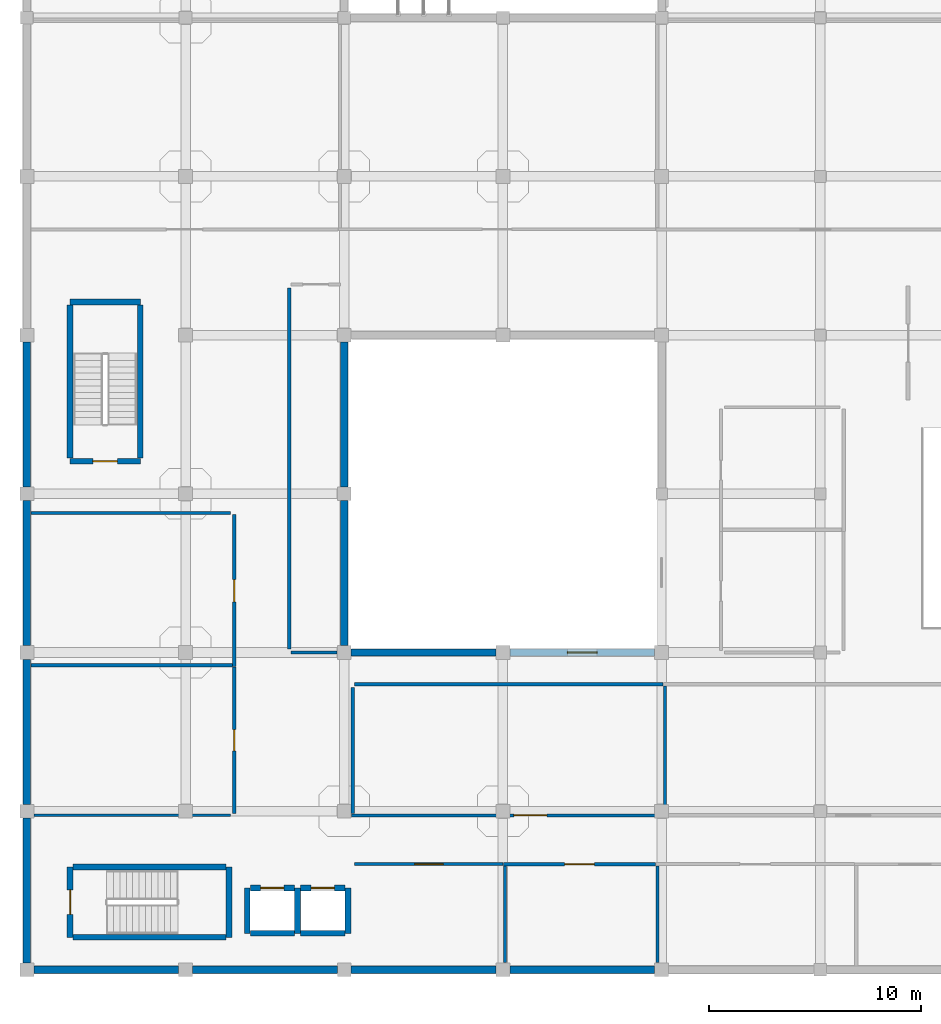
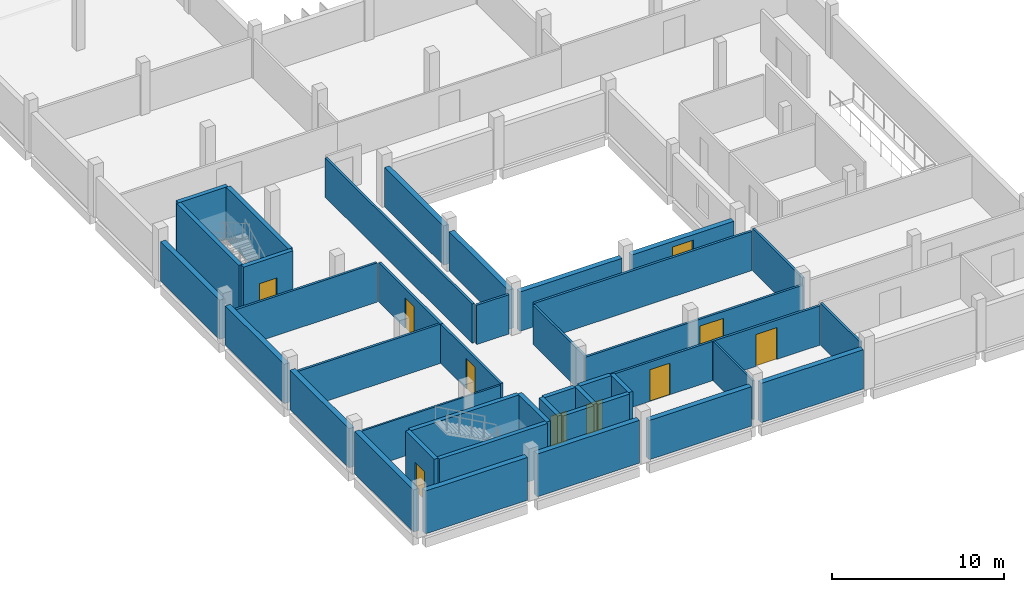
# One storey, part 24 of 47: 42 walls, 9 doors, 1 window, 10 openings.
"""IFC4 building model written with IfcOpenShell, lengths in metres."""

from ifc_helpers import new_model, si_unit, direction, frame, frame_2d, origin, place, context, subcontext, project, spatial, rectangle, extrude, material, layer, layer_set, type_object, element, fill, save


model = new_model("IFC4")

# Units and contexts
model_context = context("Model", 3, precision=1e-05, world=origin(), true_north=direction((0.0, 1.0)))
body_context = subcontext(model_context, "Body", "Model", "MODEL_VIEW")
ifc_project = project(units=[si_unit("LENGTHUNIT", "METRE"), si_unit("AREAUNIT", "SQUARE_METRE"), si_unit("VOLUMEUNIT", "CUBIC_METRE"), si_unit("PLANEANGLEUNIT", "RADIAN"), si_unit("MASSUNIT", "GRAM", prefix="KILO")], contexts=[model_context])

# Site, building, storey
site_placement = place(None, origin())
site = spatial("IfcSite", under=ifc_project, at=site_placement, CompositionType="ELEMENT")
building_placement = place(site_placement, origin())
building = spatial("IfcBuilding", under=site, at=building_placement, Name="Mawjan Specialist Oncology Clinic", CompositionType="ELEMENT")
storey_placement = place(building_placement, frame((0.0, 0.0, 9.5)))
storey = spatial("IfcBuildingStorey", under=building, at=storey_placement, Name="L02", CompositionType="ELEMENT", Elevation=9.5)

# Walls
ifc_material_1 = material(Name="Precast concrete C40/50", Category="concrete")
ifc_layer_1 = layer(ifc_material_1, 0.35009765625, Name="Precast concrete C40/50", Category="concrete")
ifc_layer_set_1 = layer_set([ifc_layer_1], Name="Precast concrete C40/50")
wall_type_1 = type_object("IfcWallType", Name="EW-350", PredefinedType="SOLIDWALL", material=ifc_layer_set_1)
for number, where, z_axis, x_axis, name in (
    (1, (29.675048828125, 0.800048828125, 0.0), (0.0, 0.0, 1.0), (-1.0, 0.0, 0.0), "L02 Coral-Limestone Exterior Wall EW-L02-182"),
    (2, (22.175048828125, 0.800048828125, 0.0), (0.0, 0.0, 1.0), (-1.0, 0.0, 0.0), "L02 Coral-Limestone Exterior Wall EW-L02-183"),
):
    element("IfcWall", number, at=place(storey_placement, frame(where, z_axis=z_axis, x_axis=x_axis)), inside=storey, type_object=wall_type_1, Name=name, PredefinedType="SOLIDWALL", context=body_context, shape_type="SweptSolid", body=[
        extrude(rectangle(XDim=6.85009765625, YDim=0.35009765625, at=frame_2d((3.425048828125, 0.0))), origin(), (0.0, 0.0, 1.0), 2.784912109375),
    ])
for number, where, z_axis, x_axis, name in (
    (3, (14.675048828125, 0.800048828125, 0.0), (0.0, 0.0, 1.0), (-1.0, 0.0, 0.0), "L02 Coral-Limestone Exterior Wall EW-L02-184"),
    (4, (7.175048828125, 0.800048828125, 0.0), (0.0, 0.0, 1.0), (-1.0, 0.0, 0.0), "L02 Coral-Limestone Exterior Wall EW-L02-185"),
):
    element("IfcWall", number, at=place(storey_placement, frame(where, z_axis=z_axis, x_axis=x_axis)), inside=storey, type_object=wall_type_1, Name=name, PredefinedType="SOLIDWALL", context=body_context, shape_type="SweptSolid", body=[
        extrude(rectangle(XDim=6.85009765625, YDim=0.35009765625, at=frame_2d((3.425048828125, 0.0))), origin(), (0.0, 0.0, 1.0), 3.034912109375),
    ])
wall_1_placement = place(storey_placement, frame((0.0, 1.125, 0.0), z_axis=(0.0, 0.0, 1.0), x_axis=(0.0, 1.0, 0.0)))
element("IfcWall", 5, at=wall_1_placement, inside=storey, type_object=wall_type_1, Name="L02 Coral-Limestone Exterior Wall EW-L02-186", PredefinedType="SOLIDWALL", context=body_context, shape_type="SweptSolid", body=[
    extrude(rectangle(XDim=6.85009765625, YDim=0.35009765625, at=frame_2d((3.425048828125, 0.0))), origin(), (0.0, 0.0, 1.0), 2.985107421875),
])
for number, where, z_axis, x_axis, name in (
    (6, (0.0, 8.625, 0.0), (0.0, 0.0, 1.0), (0.0, 1.0, 0.0), "L02 Coral-Limestone Exterior Wall EW-L02-187"),
    (7, (0.0, 16.125, 0.0), (0.0, 0.0, 1.0), (0.0, 1.0, 0.0), "L02 Coral-Limestone Exterior Wall EW-L02-188"),
    (8, (0.0, 23.625, 0.0), (0.0, 0.0, 1.0), (0.0, 1.0, 0.0), "L02 Coral-Limestone Exterior Wall EW-L02-189"),
    (9, (15.324951171875, 15.800048828125, 0.0), (0.0, 0.0, 1.0), (1.0, 0.0, 0.0), "L02 Coral-Limestone Exterior Wall EW-L02-198"),
):
    element("IfcWall", number, at=place(storey_placement, frame(where, z_axis=z_axis, x_axis=x_axis)), inside=storey, type_object=wall_type_1, Name=name, PredefinedType="SOLIDWALL", context=body_context, shape_type="SweptSolid", body=[
        extrude(rectangle(XDim=6.85009765625, YDim=0.35009765625, at=frame_2d((3.425048828125, 0.0))), origin(), (0.0, 0.0, 1.0), 2.784912109375),
    ])

# Wall, opening, window
wall_2_placement = place(storey_placement, frame((22.824951171875, 15.800048828125, 0.0), z_axis=(0.0, 0.0, 1.0), x_axis=(1.0, 0.0, 0.0)))
wall_2 = element("IfcWall", 10, at=wall_2_placement, inside=storey, type_object=wall_type_1, Name="L02 Coral-Limestone Exterior Wall EW-L02-199", PredefinedType="SOLIDWALL", context=body_context, shape_type="SweptSolid", body=[
    extrude(rectangle(XDim=6.85009765625, YDim=0.35009765625, at=frame_2d((3.425048828125, 0.0))), origin(), (0.0, 0.0, 1.0), 2.784912109375),
])
opening_1_placement = place(wall_2_placement, frame((2.72509765625, 0.0, 0.89990234375)))
opening_1 = element("IfcOpeningElement", 11, at=opening_1_placement, cuts=wall_2, Name="Opening WN-14", PredefinedType="OPENING", context=body_context, shape_type="SweptSolid", body=[
    extrude(rectangle(XDim=1.39990234375, YDim=1.5, at=frame_2d((0.699951171875, 0.75))), frame((0.0, 0.18701171875, 0.0), z_axis=(0.0, -1.0, 0.0), x_axis=(1.0, 0.0, 0.0)), (0.0, 0.0, 1.0), 0.3740234375),
])
ifc_material_2 = material(Name="Thermally broken low-E clinical aluminium window", Category="aluminium")
window_type = type_object("IfcWindowType", Name="WN-14", PartitioningType="SINGLE_PANEL", PredefinedType="WINDOW", material=ifc_material_2)
window_placement = place(opening_1_placement, origin())
window = element("IfcWindow", 12, at=window_placement, inside=storey, type_object=window_type, Name="L02 Clinical Low-E Window 038", OverallHeight=1.5, OverallWidth=1.39990234375, PartitioningType="SINGLE_PANEL", PredefinedType="WINDOW", context=body_context, shape_type="SweptSolid", body=[
    extrude(rectangle(XDim=1.39990234375, YDim=1.5, at=frame_2d((0.699951171875, 0.75))), frame((0.0, 0.030029296875, 0.0), z_axis=(0.0, -1.0, 0.0), x_axis=(1.0, 0.0, 0.0)), (0.0, 0.0, 1.0), 0.06005859375),
])
fill(opening_1, window)

# Walls
for number, where, z_axis, x_axis, name in (
    (13, (15.0, 30.47509765625, 0.0), (0.0, 0.0, 1.0), (0.0, -1.0, 0.0), "L02 Coral-Limestone Exterior Wall EW-L02-204"),
    (14, (15.0, 22.97509765625, 0.0), (0.0, 0.0, 1.0), (0.0, -1.0, 0.0), "L02 Coral-Limestone Exterior Wall EW-L02-205"),
):
    element("IfcWall", number, at=place(storey_placement, frame(where, z_axis=z_axis, x_axis=x_axis)), inside=storey, type_object=wall_type_1, Name=name, PredefinedType="SOLIDWALL", context=body_context, shape_type="SweptSolid", body=[
        extrude(rectangle(XDim=6.85009765625, YDim=0.35009765625, at=frame_2d((3.425048828125, 0.0))), origin(), (0.0, 0.0, 1.0), 2.784912109375),
    ])
ifc_material_3 = material(Name="Concrete C45/55", Category="concrete")
ifc_layer_2 = layer(ifc_material_3, 0.280029296875, Name="Concrete C45/55", Category="concrete")
ifc_layer_set_2 = layer_set([ifc_layer_2], Name="Concrete C45/55")
wall_type_2 = type_object("IfcWallType", Name="SW-300", PredefinedType="SHEAR", material=ifc_layer_set_2)
wall_3_placement = place(storey_placement, frame((2.18505859375, 2.340087890625, 0.0), z_axis=(0.0, 0.0, 1.0), x_axis=(1.0, 0.0, 0.0)))
element("IfcWall", 15, at=wall_3_placement, inside=storey, type_object=wall_type_2, Name="L02 Core K1 Stair Shear Wall 1", PredefinedType="SHEAR", context=body_context, shape_type="SweptSolid", body=[
    extrude(rectangle(XDim=7.22998046875, YDim=0.280029296875, at=frame_2d((3.614990234375, 0.0))), origin(), (0.0, 0.0, 1.0), 3.699951171875),
])
wall_4_placement = place(storey_placement, frame((9.56005859375, 2.340087890625, 0.0), z_axis=(0.0, 0.0, 1.0), x_axis=(0.0, 1.0, 0.0)))
element("IfcWall", 16, at=wall_4_placement, inside=storey, type_object=wall_type_2, Name="L02 Core K1 Stair Shear Wall 2", PredefinedType="SHEAR", context=body_context, shape_type="SweptSolid", body=[
    extrude(rectangle(XDim=3.31982421875, YDim=0.280029296875, at=frame_2d((1.659912109375, 0.0))), origin(), (0.0, 0.0, 1.0), 3.699951171875),
])
wall_5_placement = place(storey_placement, frame((9.4150390625, 5.659912109375, 0.0), z_axis=(0.0, 0.0, 1.0), x_axis=(-1.0, 0.0, 0.0)))
element("IfcWall", 17, at=wall_5_placement, inside=storey, type_object=wall_type_2, Name="L02 Core K1 Stair Shear Wall 3", PredefinedType="SHEAR", context=body_context, shape_type="SweptSolid", body=[
    extrude(rectangle(XDim=7.22998046875, YDim=0.280029296875, at=frame_2d((3.614990234375, 0.0))), origin(), (0.0, 0.0, 1.0), 3.699951171875),
])

# Wall, opening, door
wall_6_placement = place(storey_placement, frame((2.0400390625, 5.659912109375, 0.0), z_axis=(0.0, 0.0, 1.0), x_axis=(0.0, -1.0, 0.0)))
wall_6 = element("IfcWall", 18, at=wall_6_placement, inside=storey, type_object=wall_type_2, Name="L02 Core K1 Stair Shear Wall 4", PredefinedType="SHEAR", context=body_context, shape_type="SweptSolid", body=[
    extrude(rectangle(XDim=3.31982421875, YDim=0.280029296875, at=frame_2d((1.659912109375, 0.0))), origin(), (0.0, 0.0, 1.0), 3.699951171875),
])
opening_2_placement = place(wall_6_placement, frame((1.0849609375, 0.0, 0.0)))
opening_2 = element("IfcOpeningElement", 19, at=opening_2_placement, cuts=wall_6, Name="Opening FD-90", PredefinedType="OPENING", context=body_context, shape_type="SweptSolid", body=[
    extrude(rectangle(XDim=1.14990234375, YDim=2.14990234375, at=frame_2d((0.574951171875, 1.074951171875))), frame((0.0, 0.152099609375, 0.0), z_axis=(0.0, -1.0, 0.0), x_axis=(1.0, 0.0, 0.0)), (0.0, 0.0, 1.0), 0.303955078125),
])
ifc_material_4 = material(Name="Stainless-steel fire-rated hospital door", Category="steel")
door_type_1 = type_object("IfcDoorType", Name="FD-90", OperationType="NOTDEFINED", PredefinedType="DOOR", material=ifc_material_4)
door_1_placement = place(opening_2_placement, origin())
door_1 = element("IfcDoor", 20, at=door_1_placement, inside=storey, type_object=door_type_1, Name="L02 ST-01 Fire Exit Stair Door", OperationType="SINGLE_SWING_LEFT", OverallHeight=2.14990234375, OverallWidth=1.14990234375, PredefinedType="DOOR", context=body_context, shape_type="SweptSolid", body=[
    extrude(rectangle(XDim=1.14990234375, YDim=2.14990234375, at=frame_2d((0.574951171875, 1.074951171875))), frame((0.0, 0.02490234375, 0.0), z_axis=(0.0, -1.0, 0.0), x_axis=(1.0, 0.0, 0.0)), (0.0, 0.0, 1.0), 0.050048828125),
])
fill(opening_2, door_1)

# Walls
wall_7_placement = place(storey_placement, frame((10.5615234375, 2.529296875, 0.0), z_axis=(0.0, 0.0, 1.0), x_axis=(1.0, 0.0, 0.0)))
element("IfcWall", 21, at=wall_7_placement, inside=storey, type_object=wall_type_2, Name="L02 LF-03 Hoistway Wall 1", PredefinedType="SHEAR", context=body_context, shape_type="SweptSolid", body=[
    extrude(rectangle(XDim=2.076904296875, YDim=0.280029296875, at=frame_2d((1.03857421875, 0.0))), origin(), (0.0, 0.0, 1.0), 3.699951171875),
])
wall_8_placement = place(storey_placement, frame((12.783447265625, 2.529296875, 0.0), z_axis=(0.0, 0.0, 1.0), x_axis=(0.0, 1.0, 0.0)))
element("IfcWall", 22, at=wall_8_placement, inside=storey, type_object=wall_type_2, Name="L02 LF-03 Hoistway Wall 2", PredefinedType="SHEAR", context=body_context, shape_type="SweptSolid", body=[
    extrude(rectangle(XDim=2.141357421875, YDim=0.280029296875, at=frame_2d((1.07080078125, 0.0))), origin(), (0.0, 0.0, 1.0), 3.699951171875),
])

# Wall, opening, door
wall_9_placement = place(storey_placement, frame((12.638427734375, 4.670654296875, 0.0), z_axis=(0.0, 0.0, 1.0), x_axis=(-1.0, 0.0, 0.0)))
wall_9 = element("IfcWall", 23, at=wall_9_placement, inside=storey, type_object=wall_type_2, Name="L02 LF-03 Hoistway Wall 3", PredefinedType="SHEAR", context=body_context, shape_type="SweptSolid", body=[
    extrude(rectangle(XDim=2.076904296875, YDim=0.280029296875, at=frame_2d((1.03857421875, 0.0))), origin(), (0.0, 0.0, 1.0), 3.699951171875),
])
opening_3_placement = place(wall_9_placement, frame((0.488525390625, 0.0, 0.0)))
opening_3 = element("IfcOpeningElement", 24, at=opening_3_placement, cuts=wall_9, Name="Opening LD-03-L02", PredefinedType="OPENING", context=body_context, shape_type="SweptSolid", body=[
    extrude(rectangle(XDim=1.10009765625, YDim=2.14990234375, at=frame_2d((0.550048828125, 1.074951171875))), frame((0.0, 0.152099609375, 0.0), z_axis=(0.0, -1.0, 0.0), x_axis=(1.0, 0.0, 0.0)), (0.0, 0.0, 1.0), 0.303955078125),
])
ifc_material_5 = material(Name="Stainless-steel fire-rated hospital door", Category="steel")
door_type_2 = type_object("IfcDoorType", Name="LD-110", OperationType="SLIDING_TO_RIGHT", PredefinedType="DOOR", material=ifc_material_5)
door_2_placement = place(opening_3_placement, origin())
door_2 = element("IfcDoor", 25, at=door_2_placement, inside=storey, type_object=door_type_2, Name="L02 LF-03 Sliding Lift Landing Door", OperationType="SLIDING_TO_LEFT", OverallHeight=2.14990234375, OverallWidth=1.10009765625, PredefinedType="DOOR", context=body_context, shape_type="SweptSolid", body=[
    extrude(rectangle(XDim=1.10009765625, YDim=2.14990234375, at=frame_2d((0.550048828125, 1.074951171875))), frame((0.0, 0.02490234375, 0.0), z_axis=(0.0, -1.0, 0.0), x_axis=(1.0, 0.0, 0.0)), (0.0, 0.0, 1.0), 0.050048828125),
])
fill(opening_3, door_2)

# Walls
wall_10_placement = place(storey_placement, frame((10.41650390625, 4.670654296875, 0.0), z_axis=(0.0, 0.0, 1.0), x_axis=(0.0, -1.0, 0.0)))
element("IfcWall", 26, at=wall_10_placement, inside=storey, type_object=wall_type_2, Name="L02 LF-03 Hoistway Wall 4", PredefinedType="SHEAR", context=body_context, shape_type="SweptSolid", body=[
    extrude(rectangle(XDim=2.141357421875, YDim=0.280029296875, at=frame_2d((1.07080078125, 0.0))), origin(), (0.0, 0.0, 1.0), 3.699951171875),
])
wall_11_placement = place(storey_placement, frame((12.928466796875, 2.529296875, 0.0), z_axis=(0.0, 0.0, 1.0), x_axis=(1.0, 0.0, 0.0)))
element("IfcWall", 27, at=wall_11_placement, inside=storey, type_object=wall_type_2, Name="L02 LF-04 Hoistway Wall 1", PredefinedType="SHEAR", context=body_context, shape_type="SweptSolid", body=[
    extrude(rectangle(XDim=2.110107421875, YDim=0.280029296875, at=frame_2d((1.05517578125, 0.0))), origin(), (0.0, 0.0, 1.0), 3.699951171875),
])
wall_12_placement = place(storey_placement, frame((15.18359375, 2.529296875, 0.0), z_axis=(0.0, 0.0, 1.0), x_axis=(0.0, 1.0, 0.0)))
element("IfcWall", 28, at=wall_12_placement, inside=storey, type_object=wall_type_2, Name="L02 LF-04 Hoistway Wall 2", PredefinedType="SHEAR", context=body_context, shape_type="SweptSolid", body=[
    extrude(rectangle(XDim=2.141357421875, YDim=0.280029296875, at=frame_2d((1.07080078125, 0.0))), origin(), (0.0, 0.0, 1.0), 3.699951171875),
])

# Wall, opening, door
wall_13_placement = place(storey_placement, frame((15.03857421875, 4.670654296875, 0.0), z_axis=(0.0, 0.0, 1.0), x_axis=(-1.0, 0.0, 0.0)))
wall_13 = element("IfcWall", 29, at=wall_13_placement, inside=storey, type_object=wall_type_2, Name="L02 LF-04 Hoistway Wall 3", PredefinedType="SHEAR", context=body_context, shape_type="SweptSolid", body=[
    extrude(rectangle(XDim=2.110107421875, YDim=0.280029296875, at=frame_2d((1.05517578125, 0.0))), origin(), (0.0, 0.0, 1.0), 3.699951171875),
])
opening_4_placement = place(wall_13_placement, frame((0.5048828125, 0.0, 0.0)))
opening_4 = element("IfcOpeningElement", 30, at=opening_4_placement, cuts=wall_13, Name="Opening LD-04-L02", PredefinedType="OPENING", context=body_context, shape_type="SweptSolid", body=[
    extrude(rectangle(XDim=1.10009765625, YDim=2.14990234375, at=frame_2d((0.550048828125, 1.074951171875))), frame((0.0, 0.152099609375, 0.0), z_axis=(0.0, -1.0, 0.0), x_axis=(1.0, 0.0, 0.0)), (0.0, 0.0, 1.0), 0.303955078125),
])
door_3_placement = place(opening_4_placement, origin())
door_3 = element("IfcDoor", 31, at=door_3_placement, inside=storey, type_object=door_type_2, Name="L02 LF-04 Sliding Lift Landing Door", OperationType="SLIDING_TO_RIGHT", OverallHeight=2.14990234375, OverallWidth=1.10009765625, PredefinedType="DOOR", context=body_context, shape_type="SweptSolid", body=[
    extrude(rectangle(XDim=1.10009765625, YDim=2.14990234375, at=frame_2d((0.550048828125, 1.074951171875))), frame((0.0, 0.02490234375, 0.0), z_axis=(0.0, -1.0, 0.0), x_axis=(1.0, 0.0, 0.0)), (0.0, 0.0, 1.0), 0.050048828125),
])
fill(opening_4, door_3)

# Walls
wall_14_placement = place(storey_placement, frame((5.360107421875, 24.985107421875, 0.0), z_axis=(0.0, 0.0, 1.0), x_axis=(0.0, 1.0, 0.0)))
element("IfcWall", 32, at=wall_14_placement, inside=storey, type_object=wall_type_2, Name="L02 Core K2 Stair Shear Wall 1", PredefinedType="SHEAR", context=body_context, shape_type="SweptSolid", body=[
    extrude(rectangle(XDim=7.22998046875, YDim=0.280029296875, at=frame_2d((3.614990234375, 0.0))), origin(), (0.0, 0.0, 1.0), 3.699951171875),
])
wall_15_placement = place(storey_placement, frame((5.360107421875, 32.360107421875, 0.0), z_axis=(0.0, 0.0, 1.0), x_axis=(-1.0, 0.0, 0.0)))
element("IfcWall", 33, at=wall_15_placement, inside=storey, type_object=wall_type_2, Name="L02 Core K2 Stair Shear Wall 2", PredefinedType="SHEAR", context=body_context, shape_type="SweptSolid", body=[
    extrude(rectangle(XDim=3.320068359375, YDim=0.280029296875, at=frame_2d((1.66015625, 0.0))), origin(), (0.0, 0.0, 1.0), 3.699951171875),
])
wall_16_placement = place(storey_placement, frame((2.0400390625, 32.215087890625, 0.0), z_axis=(0.0, 0.0, 1.0), x_axis=(0.0, -1.0, 0.0)))
element("IfcWall", 34, at=wall_16_placement, inside=storey, type_object=wall_type_2, Name="L02 Core K2 Stair Shear Wall 3", PredefinedType="SHEAR", context=body_context, shape_type="SweptSolid", body=[
    extrude(rectangle(XDim=7.22998046875, YDim=0.280029296875, at=frame_2d((3.614990234375, 0.0))), origin(), (0.0, 0.0, 1.0), 3.699951171875),
])

# Wall, opening, door
wall_17_placement = place(storey_placement, frame((2.0400390625, 24.840087890625, 0.0), z_axis=(0.0, 0.0, 1.0), x_axis=(1.0, 0.0, 0.0)))
wall_17 = element("IfcWall", 35, at=wall_17_placement, inside=storey, type_object=wall_type_2, Name="L02 Core K2 Stair Shear Wall 4", PredefinedType="SHEAR", context=body_context, shape_type="SweptSolid", body=[
    extrude(rectangle(XDim=3.320068359375, YDim=0.280029296875, at=frame_2d((1.66015625, 0.0))), origin(), (0.0, 0.0, 1.0), 3.699951171875),
])
opening_5_placement = place(wall_17_placement, frame((1.0849609375, 0.0, 0.0)))
opening_5 = element("IfcOpeningElement", 36, at=opening_5_placement, cuts=wall_17, Name="Opening FD-90", PredefinedType="OPENING", context=body_context, shape_type="SweptSolid", body=[
    extrude(rectangle(XDim=1.14990234375, YDim=2.14990234375, at=frame_2d((0.574951171875, 1.074951171875))), frame((0.0, 0.152099609375, 0.0), z_axis=(0.0, -1.0, 0.0), x_axis=(1.0, 0.0, 0.0)), (0.0, 0.0, 1.0), 0.303955078125),
])
door_4_placement = place(opening_5_placement, origin())
door_4 = element("IfcDoor", 37, at=door_4_placement, inside=storey, type_object=door_type_1, Name="L02 ST-02 Fire Exit Stair Door", OperationType="SINGLE_SWING_LEFT", OverallHeight=2.14990234375, OverallWidth=1.14990234375, PredefinedType="DOOR", context=body_context, shape_type="SweptSolid", body=[
    extrude(rectangle(XDim=1.14990234375, YDim=2.14990234375, at=frame_2d((0.574951171875, 1.074951171875))), frame((0.0, 0.02490234375, 0.0), z_axis=(0.0, -1.0, 0.0), x_axis=(1.0, 0.0, 0.0)), (0.0, 0.0, 1.0), 0.050048828125),
])
fill(opening_5, door_4)

# Walls
ifc_material_6 = material(Name="Moisture-resistant washroom partition", Category="gypsum")
ifc_layer_3 = layer(ifc_material_6, 0.125, Name="Moisture-resistant washroom partition", Category="gypsum")
ifc_layer_set_3 = layer_set([ifc_layer_3], Name="Moisture-resistant washroom partition")
wall_type_3 = type_object("IfcWallType", Name="WP-125", PredefinedType="PARTITIONING", material=ifc_layer_set_3)
wall_18_placement = place(storey_placement, frame((22.60009765625, 1.136962890625, 0.0), z_axis=(0.0, 0.0, 1.0), x_axis=(0.0, 1.0, 0.0)))
element("IfcWall", 38, at=wall_18_placement, inside=storey, type_object=wall_type_3, Name="L02 Interior Partition W-INT-L02-201-D", PredefinedType="PARTITIONING", context=body_context, shape_type="SweptSolid", body=[
    extrude(rectangle(XDim=4.571044921875, YDim=0.125, at=frame_2d((2.28564453125, 0.0))), origin(), (0.0, 0.0, 1.0), 2.784912109375),
])
wall_19_placement = place(storey_placement, frame((0.3369140625, 8.10009765625, 0.0), z_axis=(0.0, 0.0, 1.0), x_axis=(1.0, 0.0, 0.0)))
element("IfcWall", 39, at=wall_19_placement, inside=storey, type_object=wall_type_3, Name="L02 Interior Partition W-INT-L02-0231-H0", PredefinedType="PARTITIONING", context=body_context, shape_type="SweptSolid", body=[
    extrude(rectangle(XDim=9.298095703125, YDim=0.125, at=frame_2d((4.64892578125, 0.0))), origin(), (0.0, 0.0, 1.0), 2.784912109375),
])

# Wall, opening, door
ifc_material_7 = material(Name="Acoustic gypsum clinical partition", Category="gypsum")
ifc_layer_4 = layer(ifc_material_7, 0.14990234375, Name="Acoustic gypsum clinical partition", Category="gypsum")
ifc_layer_set_4 = layer_set([ifc_layer_4], Name="Acoustic gypsum clinical partition")
wall_type_4 = type_object("IfcWallType", Name="WP-150", PredefinedType="PARTITIONING", material=ifc_layer_set_4)
wall_20_placement = place(storey_placement, frame((15.485107421875, 5.800048828125, 0.0), z_axis=(0.0, 0.0, 1.0), x_axis=(1.0, 0.0, 0.0)))
wall_20 = element("IfcWall", 40, at=wall_20_placement, inside=storey, type_object=wall_type_4, Name="L02 Interior Partition W-INT-L02-201-C", PredefinedType="PARTITIONING", context=body_context, shape_type="SweptSolid", body=[
    extrude(rectangle(XDim=7.02978515625, YDim=0.14990234375, at=frame_2d((3.514892578125, 0.0))), origin(), (0.0, 0.0, 1.0), 2.784912109375),
])
opening_6_placement = place(wall_20_placement, frame((2.844970703125, 0.0, 0.0)))
opening_6 = element("IfcOpeningElement", 41, at=opening_6_placement, cuts=wall_20, Name="Opening DC-134", PredefinedType="OPENING", context=body_context, shape_type="SweptSolid", body=[
    extrude(rectangle(XDim=1.340087890625, YDim=2.239990234375, at=frame_2d((0.669921875, 1.1201171875))), frame((0.0, 0.0869140625, 0.0), z_axis=(0.0, -1.0, 0.0), x_axis=(1.0, 0.0, 0.0)), (0.0, 0.0, 1.0), 0.173828125),
])
ifc_material_8 = material(Name="Acoustic laminate hospital door leaf", Category="wood")
door_type_3 = type_object("IfcDoorType", Name="DC-134", OperationType="NOTDEFINED", PredefinedType="DOOR", material=ifc_material_8)
door_5_placement = place(opening_6_placement, origin())
door_5 = element("IfcDoor", 42, at=door_5_placement, inside=storey, type_object=door_type_3, Name="L02 Physical Rehabilitation Gym Door", OperationType="SINGLE_SWING_LEFT", OverallHeight=2.239990234375, OverallWidth=1.340087890625, PredefinedType="DOOR", context=body_context, shape_type="SweptSolid", body=[
    extrude(rectangle(XDim=1.340087890625, YDim=2.239990234375, at=frame_2d((0.669921875, 1.1201171875))), frame((0.0, 0.02490234375, 0.0), z_axis=(0.0, -1.0, 0.0), x_axis=(1.0, 0.0, 0.0)), (0.0, 0.0, 1.0), 0.050048828125),
])
fill(opening_6, door_5)

wall_21_placement = place(storey_placement, frame((15.3369140625, 8.10009765625, 0.0), z_axis=(0.0, 0.0, 1.0), x_axis=(1.0, 0.0, 0.0)))
wall_21 = element("IfcWall", 43, at=wall_21_placement, inside=storey, type_object=wall_type_4, Name="L02 Interior Partition W-INT-L02-0221-C", PredefinedType="PARTITIONING", context=body_context, shape_type="SweptSolid", body=[
    extrude(rectangle(XDim=14.571044921875, YDim=0.14990234375, at=frame_2d((7.28564453125, 0.0))), origin(), (0.0, 0.0, 1.0), 2.784912109375),
])
opening_7_placement = place(wall_21_placement, frame((7.676513671875, 0.0, 0.0)))
opening_7 = element("IfcOpeningElement", 44, at=opening_7_placement, cuts=wall_21, Name="Opening DC-156", PredefinedType="OPENING", context=body_context, shape_type="SweptSolid", body=[
    extrude(rectangle(XDim=1.56005859375, YDim=2.300048828125, at=frame_2d((0.780029296875, 1.14990234375))), frame((0.0, 0.0869140625, 0.0), z_axis=(0.0, -1.0, 0.0), x_axis=(1.0, 0.0, 0.0)), (0.0, 0.0, 1.0), 0.173828125),
])
ifc_material_9 = material(Name="Acoustic laminate hospital door leaf", Category="wood")
door_type_4 = type_object("IfcDoorType", Name="DC-156", OperationType="NOTDEFINED", PredefinedType="DOOR", material=ifc_material_9)
door_6_placement = place(opening_7_placement, origin())
door_6 = element("IfcDoor", 45, at=door_6_placement, inside=storey, type_object=door_type_4, Name="L02 Specialist Diagnostic Exam Room Door", OperationType="SINGLE_SWING_LEFT", OverallHeight=2.300048828125, OverallWidth=1.56005859375, PredefinedType="DOOR", context=body_context, shape_type="SweptSolid", body=[
    extrude(rectangle(XDim=1.56005859375, YDim=2.300048828125, at=frame_2d((0.780029296875, 1.14990234375))), frame((0.0, 0.02490234375, 0.0), z_axis=(0.0, -1.0, 0.0), x_axis=(1.0, 0.0, 0.0)), (0.0, 0.0, 1.0), 0.050048828125),
])
fill(opening_7, door_6)

# Walls
wall_22_placement = place(storey_placement, frame((29.800048828125, 1.136962890625, 0.0), z_axis=(0.0, 0.0, 1.0), x_axis=(0.0, 1.0, 0.0)))
element("IfcWall", 46, at=wall_22_placement, inside=storey, type_object=wall_type_4, Name="L02 Interior Partition W-INT-L02-202-D", PredefinedType="PARTITIONING", context=body_context, shape_type="SweptSolid", body=[
    extrude(rectangle(XDim=4.575927734375, YDim=0.14990234375, at=frame_2d((2.2880859375, 0.0))), origin(), (0.0, 0.0, 1.0), 2.985107421875),
])
wall_23_placement = place(storey_placement, frame((15.39990234375, 8.18701171875, 0.0), z_axis=(0.0, 0.0, 1.0), x_axis=(0.0, 1.0, 0.0)))
element("IfcWall", 47, at=wall_23_placement, inside=storey, type_object=wall_type_4, Name="L02 Interior Partition W-INT-L02-0221-D0", PredefinedType="PARTITIONING", context=body_context, shape_type="SweptSolid", body=[
    extrude(rectangle(XDim=5.947998046875, YDim=0.14990234375, at=frame_2d((2.97412109375, 0.0))), origin(), (0.0, 0.0, 1.0), 2.784912109375),
])
wall_24_placement = place(storey_placement, frame((30.159912109375, 8.431884765625, 0.0), z_axis=(0.0, 0.0, 1.0), x_axis=(0.0, 1.0, 0.0)))
element("IfcWall", 48, at=wall_24_placement, inside=storey, type_object=wall_type_4, Name="L02 Interior Partition W-INT-L02-0221-D", PredefinedType="PARTITIONING", context=body_context, shape_type="SweptSolid", body=[
    extrude(rectangle(XDim=5.781005859375, YDim=0.14990234375, at=frame_2d((2.890625, 0.0))), origin(), (0.0, 0.0, 1.0), 2.985107421875),
])
wall_25_placement = place(storey_placement, frame((0.18701171875, 15.199951171875, 0.0), z_axis=(0.0, 0.0, 1.0), x_axis=(1.0, 0.0, 0.0)))
element("IfcWall", 49, at=wall_25_placement, inside=storey, type_object=wall_type_4, Name="L02 Interior Partition W-INT-L02-0231-H", PredefinedType="PARTITIONING", context=body_context, shape_type="SweptSolid", body=[
    extrude(rectangle(XDim=9.52099609375, YDim=0.14990234375, at=frame_2d((4.760498046875, 0.0))), origin(), (0.0, 0.0, 1.0), 2.784912109375),
])
wall_26_placement = place(storey_placement, frame((0.18701171875, 22.39990234375, 0.0), z_axis=(0.0, 0.0, 1.0), x_axis=(1.0, 0.0, 0.0)))
element("IfcWall", 50, at=wall_26_placement, inside=storey, type_object=wall_type_4, Name="L02 Interior Partition W-INT-L02-0232-H", PredefinedType="PARTITIONING", context=body_context, shape_type="SweptSolid", body=[
    extrude(rectangle(XDim=9.447998046875, YDim=0.14990234375, at=frame_2d((4.72412109375, 0.0))), origin(), (0.0, 0.0, 1.0), 2.784912109375),
])
wall_27_placement = place(storey_placement, frame((12.39990234375, 15.965087890625, 0.0), z_axis=(0.0, 0.0, 1.0), x_axis=(0.0, 1.0, 0.0)))
element("IfcWall", 51, at=wall_27_placement, inside=storey, type_object=wall_type_4, Name="L02 Interior Partition W-INT-L02-0241-D0", PredefinedType="PARTITIONING", context=body_context, shape_type="SweptSolid", body=[
    extrude(rectangle(XDim=17.06982421875, YDim=0.14990234375, at=frame_2d((8.534912109375, 0.0))), origin(), (0.0, 0.0, 1.0), 2.784912109375),
])

# Wall, opening, door
ifc_material_10 = material(Name="Acoustic clinical twin-stud partition", Category="gypsum")
ifc_layer_5 = layer(ifc_material_10, 0.159912109375, Name="Acoustic clinical twin-stud partition", Category="gypsum")
ifc_layer_set_5 = layer_set([ifc_layer_5], Name="Acoustic clinical twin-stud partition")
wall_type_5 = type_object("IfcWallType", Name="WP-160", PredefinedType="PARTITIONING", material=ifc_layer_set_5)
wall_28_placement = place(storey_placement, frame((22.527099609375, 5.800048828125, 0.0), z_axis=(0.0, 0.0, 1.0), x_axis=(1.0, 0.0, 0.0)))
wall_28 = element("IfcWall", 52, at=wall_28_placement, inside=storey, type_object=wall_type_5, Name="L02 Interior Partition W-INT-L02-202-C", PredefinedType="PARTITIONING", context=body_context, shape_type="SweptSolid", body=[
    extrude(rectangle(XDim=7.18798828125, YDim=0.159912109375, at=frame_2d((3.593994140625, 0.0))), origin(), (0.0, 0.0, 1.0), 2.784912109375),
])
opening_8_placement = place(wall_28_placement, frame((2.89404296875, 0.0, 0.0)))
opening_8 = element("IfcOpeningElement", 53, at=opening_8_placement, cuts=wall_28, Name="Opening DC-140", PredefinedType="OPENING", context=body_context, shape_type="SweptSolid", body=[
    extrude(rectangle(XDim=1.39990234375, YDim=2.25, at=frame_2d((0.699951171875, 1.125))), frame((0.0, 0.092041015625, 0.0), z_axis=(0.0, -1.0, 0.0), x_axis=(1.0, 0.0, 0.0)), (0.0, 0.0, 1.0), 0.183837890625),
])
ifc_material_11 = material(Name="Acoustic laminate hospital door leaf", Category="wood")
door_type_5 = type_object("IfcDoorType", Name="DC-140", OperationType="NOTDEFINED", PredefinedType="DOOR", material=ifc_material_11)
door_7_placement = place(opening_8_placement, origin())
door_7 = element("IfcDoor", 54, at=door_7_placement, inside=storey, type_object=door_type_5, Name="L02 Lymphedema Therapy Room Door", OperationType="SINGLE_SWING_RIGHT", OverallHeight=2.25, OverallWidth=1.39990234375, PredefinedType="DOOR", context=body_context, shape_type="SweptSolid", body=[
    extrude(rectangle(XDim=1.39990234375, YDim=2.25, at=frame_2d((0.699951171875, 1.125))), frame((0.0, 0.02490234375, 0.0), z_axis=(0.0, -1.0, 0.0), x_axis=(1.0, 0.0, 0.0)), (0.0, 0.0, 1.0), 0.050048828125),
])
fill(opening_8, door_7)

wall_29_placement = place(storey_placement, frame((9.800048828125, 8.18505859375, 0.0), z_axis=(0.0, 0.0, 1.0), x_axis=(0.0, 1.0, 0.0)))
wall_29 = element("IfcWall", 55, at=wall_29_placement, inside=storey, type_object=wall_type_5, Name="L02 Interior Partition W-INT-L02-0231-V", PredefinedType="PARTITIONING", context=body_context, shape_type="SweptSolid", body=[
    extrude(rectangle(XDim=6.929931640625, YDim=0.159912109375, at=frame_2d((3.46484375, 0.0))), origin(), (0.0, 0.0, 1.0), 2.784912109375),
])
opening_9_placement = place(wall_29_placement, frame((2.965087890625, 0.0, 0.0)))
opening_9 = element("IfcOpeningElement", 56, at=opening_9_placement, cuts=wall_29, Name="Opening DI-100", PredefinedType="OPENING", context=body_context, shape_type="SweptSolid", body=[
    extrude(rectangle(XDim=1.0, YDim=2.14990234375, at=frame_2d((0.5, 1.074951171875))), frame((0.0, 0.092041015625, 0.0), z_axis=(0.0, -1.0, 0.0), x_axis=(1.0, 0.0, 0.0)), (0.0, 0.0, 1.0), 0.183837890625),
])
ifc_material_12 = material(Name="Acoustic laminate hospital door leaf", Category="wood")
door_type_6 = type_object("IfcDoorType", Name="DI-100", OperationType="NOTDEFINED", PredefinedType="DOOR", material=ifc_material_12)
door_8_placement = place(opening_9_placement, origin())
door_8 = element("IfcDoor", 57, at=door_8_placement, inside=storey, type_object=door_type_6, Name="L02 Outpatient Consultation Room Door", OperationType="SINGLE_SWING_LEFT", OverallHeight=2.14990234375, OverallWidth=1.0, PredefinedType="DOOR", context=body_context, shape_type="SweptSolid", body=[
    extrude(rectangle(XDim=1.0, YDim=2.14990234375, at=frame_2d((0.5, 1.074951171875))), frame((0.0, 0.02490234375, 0.0), z_axis=(0.0, -1.0, 0.0), x_axis=(1.0, 0.0, 0.0)), (0.0, 0.0, 1.0), 0.050048828125),
])
fill(opening_9, door_8)

wall_30_placement = place(storey_placement, frame((9.800048828125, 15.126953125, 0.0), z_axis=(0.0, 0.0, 1.0), x_axis=(0.0, 1.0, 0.0)))
wall_30 = element("IfcWall", 58, at=wall_30_placement, inside=storey, type_object=wall_type_5, Name="L02 Interior Partition W-INT-L02-0232-V", PredefinedType="PARTITIONING", context=body_context, shape_type="SweptSolid", body=[
    extrude(rectangle(XDim=7.18798828125, YDim=0.159912109375, at=frame_2d((3.593994140625, 0.0))), origin(), (0.0, 0.0, 1.0), 2.784912109375),
])
opening_10_placement = place(wall_30_placement, frame((3.069091796875, 0.0, 0.0)))
opening_10 = element("IfcOpeningElement", 59, at=opening_10_placement, cuts=wall_30, Name="Opening DI-105", PredefinedType="OPENING", context=body_context, shape_type="SweptSolid", body=[
    extrude(rectangle(XDim=1.050048828125, YDim=2.14990234375, at=frame_2d((0.52490234375, 1.074951171875))), frame((0.0, 0.092041015625, 0.0), z_axis=(0.0, -1.0, 0.0), x_axis=(1.0, 0.0, 0.0)), (0.0, 0.0, 1.0), 0.183837890625),
])
ifc_material_13 = material(Name="Acoustic laminate hospital door leaf", Category="wood")
door_type_7 = type_object("IfcDoorType", Name="DI-105", OperationType="NOTDEFINED", PredefinedType="DOOR", material=ifc_material_13)
door_9_placement = place(opening_10_placement, origin())
door_9 = element("IfcDoor", 60, at=door_9_placement, inside=storey, type_object=door_type_7, Name="L02 Clinical Assessment Suite Door", OperationType="SINGLE_SWING_RIGHT", OverallHeight=2.14990234375, OverallWidth=1.050048828125, PredefinedType="DOOR", context=body_context, shape_type="SweptSolid", body=[
    extrude(rectangle(XDim=1.050048828125, YDim=2.14990234375, at=frame_2d((0.52490234375, 1.074951171875))), frame((0.0, 0.02490234375, 0.0), z_axis=(0.0, -1.0, 0.0), x_axis=(1.0, 0.0, 0.0)), (0.0, 0.0, 1.0), 0.050048828125),
])
fill(opening_10, door_9)

# Walls
wall_31_placement = place(storey_placement, frame((15.485107421875, 14.300048828125, 0.0), z_axis=(0.0, 0.0, 1.0), x_axis=(1.0, 0.0, 0.0)))
element("IfcWall", 61, at=wall_31_placement, inside=storey, type_object=wall_type_5, Name="L02 Interior Partition W-INT-L02-0221-R", PredefinedType="PARTITIONING", context=body_context, shape_type="SweptSolid", body=[
    extrude(rectangle(XDim=14.58984375, YDim=0.159912109375, at=frame_2d((7.294921875, 0.0))), origin(), (0.0, 0.0, 1.0), 2.784912109375),
])
wall_32_placement = place(storey_placement, frame((12.485107421875, 15.800048828125, 0.0), z_axis=(0.0, 0.0, 1.0), x_axis=(1.0, 0.0, 0.0)))
element("IfcWall", 62, at=wall_32_placement, inside=storey, type_object=wall_type_5, Name="L02 Interior Partition W-INT-L02-0241-R", PredefinedType="PARTITIONING", context=body_context, shape_type="SweptSolid", body=[
    extrude(rectangle(XDim=2.177978515625, YDim=0.159912109375, at=frame_2d((1.0888671875, 0.0))), origin(), (0.0, 0.0, 1.0), 2.784912109375),
])

save(model, "model.ifc")
